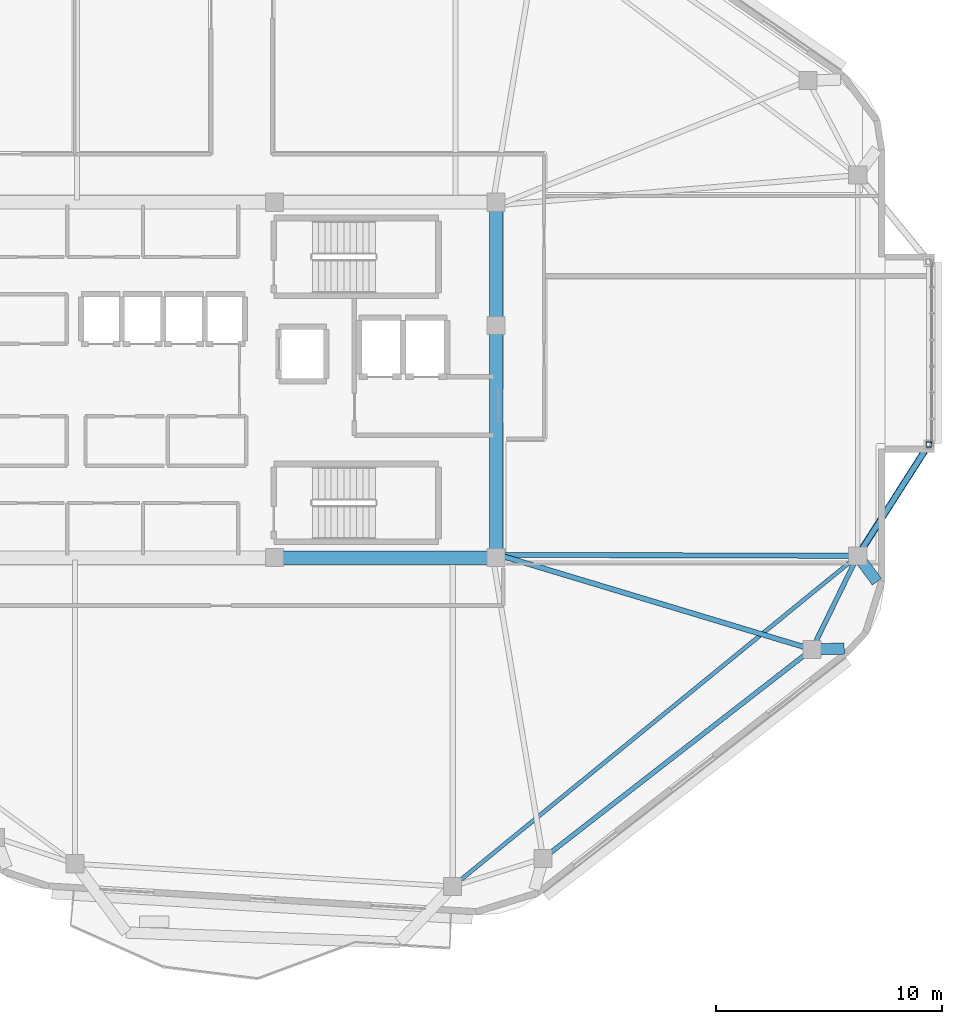
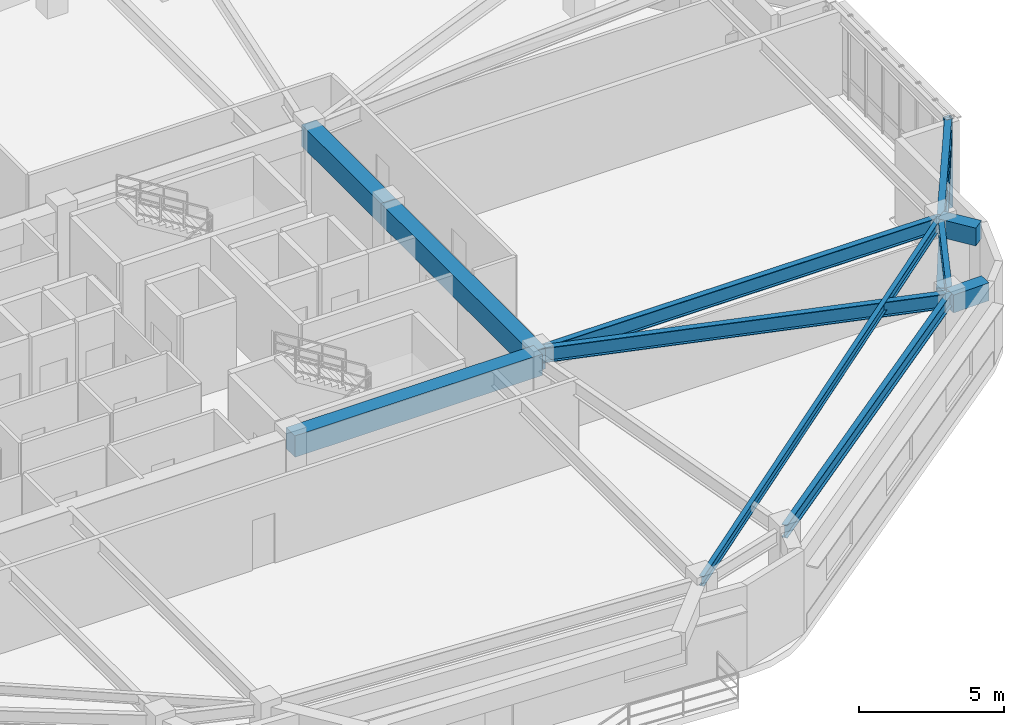
# One storey, part 6 of 18: 11 beams, 2 members.
"""IFC4 building model written with IfcOpenShell, lengths in metres."""

from ifc_helpers import new_model, si_unit, direction, frame, origin, origin_2d, place, context, subcontext, project, spatial, rectangle, hollow_rectangle, i_section, extrude, material, material_profile, profile_set, type_object, element, save


model = new_model("IFC4")

# Units and contexts
model_context = context("Model", 3, precision=1e-05, world=origin(), true_north=direction((0.0, 1.0)))
body_context = subcontext(model_context, "Body", "Model", "MODEL_VIEW")
ifc_project = project(units=[si_unit("LENGTHUNIT", "METRE"), si_unit("AREAUNIT", "SQUARE_METRE"), si_unit("VOLUMEUNIT", "CUBIC_METRE"), si_unit("PLANEANGLEUNIT", "RADIAN"), si_unit("MASSUNIT", "GRAM", prefix="KILO")], contexts=[model_context])

# Site, building, storey
site_placement = place(None, origin())
site = spatial("IfcSite", under=ifc_project, at=site_placement, CompositionType="ELEMENT")
building_placement = place(site_placement, origin())
building = spatial("IfcBuilding", under=site, at=building_placement, Name="Zulverin Broadcast Headquarters", CompositionType="ELEMENT")
storey_placement = place(building_placement, frame((0.0, 0.0, 225.0)))
storey = spatial("IfcBuildingStorey", under=building, at=storey_placement, Name="L57", CompositionType="ELEMENT", Elevation=225.0)

# Beams
ifc_material_1 = material(Name="Concrete C60/75", Category="concrete")
ifc_material_profile_1 = material_profile(ifc_material_1, rectangle(XDim=0.60009765625, YDim=0.89990234375, at=origin_2d()), Name="Concrete C60/75", Category="concrete")
ifc_profile_set_1 = profile_set([ifc_material_profile_1], Name="Concrete C60/75")
beam_type_1 = type_object("IfcBeamType", Name="BM-CB-600x900", PredefinedType="LINTEL", material=ifc_profile_set_1)
beam_1_placement = place(storey_placement, frame((38.449951171875, 17.324951171875, 3.06005859375), z_axis=(1.0, 0.0, 0.0), x_axis=(0.0, 1.0, 0.0)))
element("IfcBeam", 1, at=beam_1_placement, inside=storey, type_object=beam_type_1, Name="L57 Core Coupling Girder K02-K03", PredefinedType="LINTEL", context=body_context, shape_type="SweptSolid", body=[
    extrude(rectangle(XDim=0.60009765625, YDim=0.89990234375, at=origin_2d()), origin(), (0.0, 0.0, 1.0), 9.824951171875),
])
beam_2_placement = place(storey_placement, frame((48.27490234375, 17.324951171875, 3.06005859375), z_axis=(0.0, 1.0, 0.0), x_axis=(-1.0, 0.0, 0.0)))
element("IfcBeam", 2, at=beam_2_placement, inside=storey, type_object=beam_type_1, Name="L57 Core Coupling Girder K03-K04", PredefinedType="LINTEL", context=body_context, shape_type="SweptSolid", body=[
    extrude(rectangle(XDim=0.60009765625, YDim=0.89990234375, at=origin_2d()), origin(), (0.0, 0.0, 1.0), 10.295166015625),
])
beam_3_placement = place(storey_placement, frame((48.27490234375, 27.6201171875, 3.06005859375), z_axis=(0.0, 1.0, 0.0), x_axis=(-1.0, 0.0, 0.0)))
element("IfcBeam", 3, at=beam_3_placement, inside=storey, type_object=beam_type_1, Name="L57 Core Coupling Girder K04-K05", PredefinedType="LINTEL", context=body_context, shape_type="SweptSolid", body=[
    extrude(rectangle(XDim=0.60009765625, YDim=0.89990234375, at=origin_2d()), origin(), (0.0, 0.0, 1.0), 5.454833984375),
])
ifc_material_2 = material(Name="Concrete C40/50", Category="concrete")
ifc_material_profile_2 = material_profile(ifc_material_2, rectangle(XDim=0.5, YDim=0.75, at=origin_2d()), Name="Concrete C40/50", Category="concrete")
ifc_profile_set_2 = profile_set([ifc_material_profile_2], Name="Concrete C40/50")
beam_type_2 = type_object("IfcBeamType", Name="BM-RC-500x750", PredefinedType="BEAM", material=ifc_profile_set_2)
beam_4_placement = place(storey_placement, frame((62.272216796875, 13.262451171875, 3.135009765625), z_axis=(0.999706131466, 0.024241507969, 0.0), x_axis=(-0.024241507969, 0.999706131466, 0.0)))
element("IfcBeam", 4, at=beam_4_placement, inside=storey, type_object=beam_type_2, Name="L58 Plate Overhang Back-Spanned Beam OVR-04", PredefinedType="BEAM", context=body_context, shape_type="SweptSolid", body=[
    extrude(rectangle(XDim=0.5, YDim=0.75, at=origin_2d()), origin(), (0.0, 0.0, 1.0), 1.43017578125),
])
beam_5_placement = place(storey_placement, frame((64.300048828125, 17.40771484375, 3.135009765625), z_axis=(0.594357454608, -0.80420097995, 0.0), x_axis=(0.80420097995, 0.594357454608, 0.0)))
element("IfcBeam", 5, at=beam_5_placement, inside=storey, type_object=beam_type_2, Name="L58 Plate Overhang Back-Spanned Beam OVR-05", PredefinedType="BEAM", context=body_context, shape_type="SweptSolid", body=[
    extrude(rectangle(XDim=0.5, YDim=0.75, at=origin_2d()), origin(), (0.0, 0.0, 1.0), 1.429931640625),
])
ifc_material_3 = material(Name="Structural steel S355JR", Category="steel")
ifc_material_profile_3 = material_profile(ifc_material_3, i_section(OverallWidth=0.179443359375, OverallDepth=0.412841796875, WebThickness=0.009521484375, FlangeThickness=0.01611328125, at=origin_2d()), Name="Structural steel S355JR", Category="steel")
ifc_profile_set_3 = profile_set([ifc_material_profile_3], Name="Structural steel S355JR")
beam_type_3 = type_object("IfcBeamType", Name="BM-UB-406", PredefinedType="JOIST", material=ifc_profile_set_3)
beam_6_placement = place(storey_placement, frame((46.3515625, 2.759521484375, 3.3037109375), z_axis=(0.77473799882, 0.632282399869, 0.0), x_axis=(-0.632282399869, 0.77473799882, 0.0)))
element("IfcBeam", 6, at=beam_6_placement, inside=storey, type_object=beam_type_3, Name="L57 Chordal Floor Joist J-01", PredefinedType="JOIST", context=body_context, shape_type="SweptSolid", body=[
    extrude(i_section(OverallWidth=0.179443359375, OverallDepth=0.412841796875, WebThickness=0.009521484375, FlangeThickness=0.01611328125, at=origin_2d()), origin(), (0.0, 0.0, 1.0), 23.167236328125),
])
ifc_material_profile_4 = material_profile(ifc_material_3, i_section(OverallWidth=0.2119140625, OverallDepth=0.54443359375, WebThickness=0.0126953125, FlangeThickness=0.021240234375, at=origin_2d()), Name="Structural steel S355JR", Category="steel")
ifc_profile_set_4 = profile_set([ifc_material_profile_4], Name="Structural steel S355JR")
beam_type_4 = type_object("IfcBeamType", Name="BM-UB-533", PredefinedType="SPANDREL", material=ifc_profile_set_4)
beam_7_placement = place(storey_placement, frame((50.361083984375, 4.001708984375, 3.23779296875), z_axis=(0.789463732329, 0.613797210271, 0.0), x_axis=(-0.613797210271, 0.789463732329, 0.0)))
element("IfcBeam", 7, at=beam_7_placement, inside=storey, type_object=beam_type_4, Name="L57 Perimeter Spandrel Beam SP-03", PredefinedType="SPANDREL", context=body_context, shape_type="SweptSolid", body=[
    extrude(i_section(OverallWidth=0.2119140625, OverallDepth=0.54443359375, WebThickness=0.0126953125, FlangeThickness=0.021240234375, at=origin_2d()), origin(), (0.0, 0.0, 1.0), 15.087646484375),
])
beam_8_placement = place(storey_placement, frame((62.272216796875, 13.262451171875, 3.23779296875), z_axis=(0.439430258265, 0.898276710219, 0.0), x_axis=(-0.898276710219, 0.439430258265, 0.0)))
element("IfcBeam", 8, at=beam_8_placement, inside=storey, type_object=beam_type_4, Name="L57 Perimeter Spandrel Beam SP-04", PredefinedType="SPANDREL", context=body_context, shape_type="SweptSolid", body=[
    extrude(i_section(OverallWidth=0.2119140625, OverallDepth=0.54443359375, WebThickness=0.0126953125, FlangeThickness=0.021240234375, at=origin_2d()), origin(), (0.0, 0.0, 1.0), 4.61474609375),
])
ifc_material_profile_5 = material_profile(ifc_material_3, i_section(OverallWidth=0.230224609375, OverallDepth=0.6171875, WebThickness=0.01318359375, FlangeThickness=0.022216796875, at=origin_2d()), Name="Structural steel S355JR", Category="steel")
ifc_profile_set_5 = profile_set([ifc_material_profile_5], Name="Structural steel S355JR")
beam_type_5 = type_object("IfcBeamType", Name="BM-UB-610", PredefinedType="BEAM", material=ifc_profile_set_5)
beam_9_placement = place(storey_placement, frame((48.375, 17.449951171875, 3.201416015625), z_axis=(0.957477907331, -0.288506597799, 0.0), x_axis=(0.288506597799, 0.957477907331, 0.0)))
element("IfcBeam", 9, at=beam_9_placement, inside=storey, type_object=beam_type_5, Name="L57 Radial Primary Floor Beam RB-04", PredefinedType="BEAM", context=body_context, shape_type="SweptSolid", body=[
    extrude(i_section(OverallWidth=0.230224609375, OverallDepth=0.6171875, WebThickness=0.01318359375, FlangeThickness=0.022216796875, at=origin_2d()), origin(), (0.0, 0.0, 1.0), 14.514404296875),
])
beam_10_placement = place(storey_placement, frame((48.375, 17.449951171875, 3.201416015625), z_axis=(0.999996482951, -0.002652185248, 0.0), x_axis=(0.002652185248, 0.999996482951, 0.0)))
element("IfcBeam", 10, at=beam_10_placement, inside=storey, type_object=beam_type_5, Name="L57 Radial Primary Floor Beam RB-05", PredefinedType="BEAM", context=body_context, shape_type="SweptSolid", body=[
    extrude(i_section(OverallWidth=0.230224609375, OverallDepth=0.6171875, WebThickness=0.01318359375, FlangeThickness=0.022216796875, at=origin_2d()), origin(), (0.0, 0.0, 1.0), 15.925048828125),
])
ifc_material_profile_6 = material_profile(ifc_material_3, i_section(OverallWidth=0.255859375, OverallDepth=0.69287109375, WebThickness=0.014404296875, FlangeThickness=0.023681640625, at=origin_2d()), Name="Structural steel S355JR", Category="steel")
ifc_profile_set_6 = profile_set([ifc_material_profile_6], Name="Structural steel S355JR")
beam_type_6 = type_object("IfcBeamType", Name="BM-UB-686", PredefinedType="BEAM", material=ifc_profile_set_6)
beam_11_placement = place(storey_placement, frame((64.300048828125, 17.40771484375, 3.16357421875), z_axis=(0.538227155415, 0.842799815599, 0.0), x_axis=(-0.842799815599, 0.538227155415, 0.0)))
element("IfcBeam", 11, at=beam_11_placement, inside=storey, type_object=beam_type_6, Name="L57 Studio Box Cantilever Girder SBOX_SKY2_E-1", PredefinedType="BEAM", context=body_context, shape_type="SweptSolid", body=[
    extrude(i_section(OverallWidth=0.255859375, OverallDepth=0.69287109375, WebThickness=0.014404296875, FlangeThickness=0.023681640625, at=origin_2d()), origin(), (0.0, 0.0, 1.0), 5.852294921875),
])

# Members
ifc_material_profile_7 = material_profile(ifc_material_3, hollow_rectangle(XDim=0.300048828125, YDim=0.300048828125, WallThickness=0.01611328125, at=origin_2d()), Name="Structural steel S355JR", Category="steel")
ifc_profile_set_7 = profile_set([ifc_material_profile_7], Name="Structural steel S355JR")
member_type_1 = type_object("IfcMemberType", Name="MBR-BLT-DIAG1", PredefinedType="BRACE", material=ifc_profile_set_7)
member_1_placement = place(storey_placement, frame((64.300048828125, 17.40771484375, 0.35009765625), z_axis=(0.483577023287, 0.757224197913, 0.439049856672), x_axis=(-0.842799815599, 0.538227155415, 0.0)))
element("IfcMember", 12, at=member_1_placement, inside=storey, type_object=member_type_1, Name="L57 Studio Box Raking Knee Brace SBOX_SKY2_E-1", PredefinedType="BRACE", context=body_context, shape_type="SweptSolid", body=[
    extrude(hollow_rectangle(XDim=0.300048828125, YDim=0.300048828125, WallThickness=0.01611328125, at=origin_2d()), origin(), (0.0, 0.0, 1.0), 6.513671875),
])
ifc_material_profile_8 = material_profile(ifc_material_3, hollow_rectangle(XDim=0.25, YDim=0.25, WallThickness=0.01611328125, at=origin_2d()), Name="Structural steel S355JR", Category="steel")
ifc_profile_set_8 = profile_set([ifc_material_profile_8], Name="Structural steel S355JR")
member_type_2 = type_object("IfcMemberType", Name="MBR-BLT-POST", PredefinedType="POST", material=ifc_profile_set_8)
member_2_placement = place(storey_placement, frame((67.449951171875, 22.340087890625, -0.239990234375), z_axis=(0.0, 0.0, 1.0), x_axis=(1.0, 0.0, 0.0)))
element("IfcMember", 13, at=member_2_placement, inside=storey, type_object=member_type_2, Name="L57 Shifted Studio Box Frame Post SBOX_SKY2_E-1", PredefinedType="POST", context=body_context, shape_type="SweptSolid", body=[
    extrude(hollow_rectangle(XDim=0.25, YDim=0.25, WallThickness=0.01611328125, at=origin_2d()), origin(), (0.0, 0.0, 1.0), 3.75),
])

save(model, "model.ifc")
